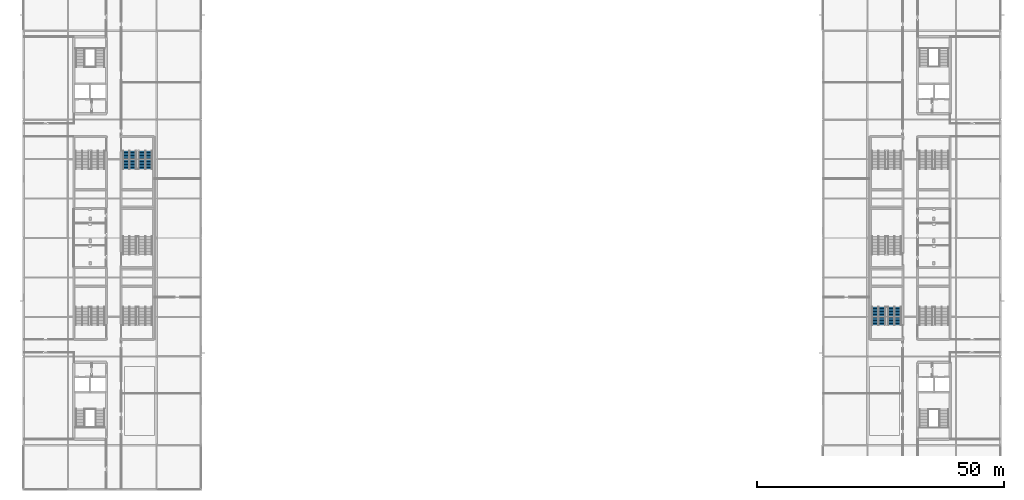
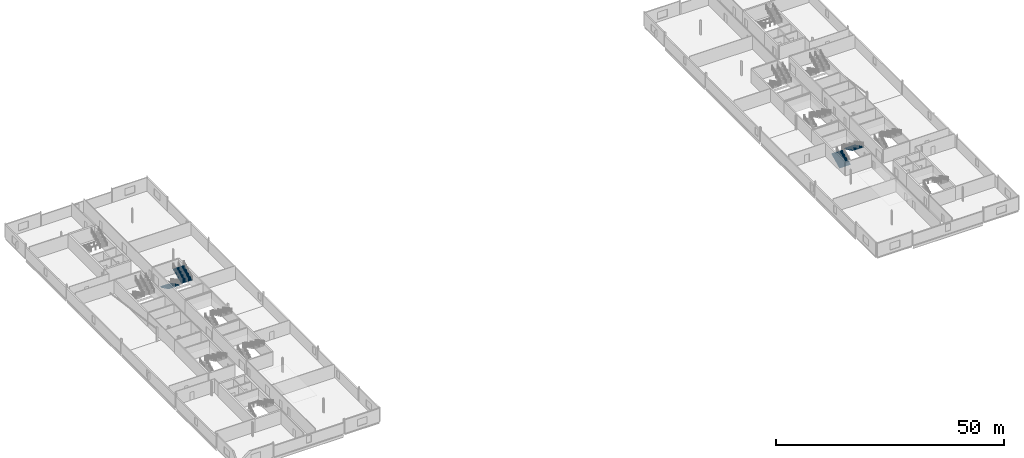
# One storey, part 24 of 31: 4 stair flights, 2 elements without a shape of their own.
"""IFC4 building model written with IfcOpenShell, lengths in metres."""

from ifc_helpers import new_model, si_unit, direction, frame, origin, place, context, subcontext, project, spatial, polygons, material, type_object, element, aggregate, save


model = new_model("IFC4")

# Units and contexts
model_context = context("Model", 3, precision=1e-05, world=origin(), true_north=direction((0.0, 1.0)))
body_context = subcontext(model_context, "Body", "Model", "MODEL_VIEW")
ifc_project = project(units=[si_unit("LENGTHUNIT", "METRE"), si_unit("AREAUNIT", "SQUARE_METRE"), si_unit("VOLUMEUNIT", "CUBIC_METRE"), si_unit("PLANEANGLEUNIT", "RADIAN"), si_unit("MASSUNIT", "GRAM", prefix="KILO")], contexts=[model_context])

# Site, building, storey
site_placement = place(None, origin())
site = spatial("IfcSite", under=ifc_project, at=site_placement, CompositionType="ELEMENT")
building_placement = place(site_placement, origin())
building = spatial("IfcBuilding", under=site, at=building_placement, Name="Kisiwana Market Hall", CompositionType="ELEMENT")
storey_placement = place(building_placement, frame((0.0, 0.0, 45.60009765625)))
storey = spatial("IfcBuildingStorey", under=building, at=storey_placement, Name="L10", CompositionType="ELEMENT", Elevation=45.60009765625)

# Stair, stair flights
ifc_material_1 = material(Name="Concrete C32/40", Category="concrete")
stair_type = type_object("IfcStairType", Name="ST-ESC-3900", PredefinedType="TWO_STRAIGHT_RUN_STAIR", material=ifc_material_1)
stair_1_placement = place(storey_placement, origin())
stair_1 = element("IfcStair", 1, at=stair_1_placement, inside=storey, type_object=stair_type, Name="Escape stair ST-E7-L10", PredefinedType="TWO_STRAIGHT_RUN_STAIR")
ifc_material_2 = material(Name="Concrete C32/40", Category="concrete")
stair_flight_type = type_object("IfcStairFlightType", Name="SF-ESC-3900", PredefinedType="STRAIGHT", material=ifc_material_2)
stair_flight_1_placement = place(storey_placement, frame((173.2900390625, 42.360107421875, 0.0), z_axis=(0.0, 0.0, 1.0), x_axis=(0.0, 1.0, 0.0)))
stair_flight_1 = element("IfcStairFlight", 2, at=stair_flight_1_placement, type_object=stair_flight_type, Name="ST-E7-L10 flight 1", NumberOfRisers=13, NumberOfTreads=12, PredefinedType="STRAIGHT", RiserHeight=0.15, TreadLength=0.305, context=body_context, shape_type="Tessellation", body=[
    polygons([(0.0, -1.380127, 0.0), (0.0, -0.690125, 0.0), (0.0, -0.000122, 0.0), (0.0, 0.68988, 0.0), (0.0, 1.379883, 0.0), (0.0, -1.380127, 0.149902), (0.0, -0.690125, 0.149902), (0.0, -0.000122, 0.149902), (0.0, 0.68988, 0.149902), (0.0, 1.379883, 0.149902), (0.304932, -1.380127, 0.149902), (0.304932, -0.690125, 0.149902), (0.304932, -0.000122, 0.149902), (0.304932, 0.68988, 0.149902), (0.304932, 1.379883, 0.149902), (0.304932, -1.380127, 0.300049), (0.304932, -0.690125, 0.300049), (0.304932, -0.000122, 0.300049), (0.304932, 0.68988, 0.300049), (0.304932, 1.379883, 0.300049), (0.610107, -1.380127, 0.300049), (0.610107, -0.690125, 0.300049), (0.610107, -0.000122, 0.300049), (0.610107, 0.68988, 0.300049), (0.610107, 1.379883, 0.300049), (0.610107, -1.380127, 0.449951), (0.610107, -0.690125, 0.449951), (0.610107, -0.000122, 0.449951), (0.610107, 0.68988, 0.449951), (0.610107, 1.379883, 0.449951), (0.915039, -1.380127, 0.449951), (0.915039, -0.690125, 0.449951), (0.915039, -0.000122, 0.449951), (0.915039, 0.68988, 0.449951), (0.915039, 1.379883, 0.449951), (0.915039, -1.380127, 0.600098), (0.915039, -0.690125, 0.600098), (0.915039, -0.000122, 0.600098), (0.915039, 0.68988, 0.600098), (0.915039, 1.379883, 0.600098), (1.219971, -1.380127, 0.600098), (1.219971, -0.690125, 0.600098), (1.219971, -0.000122, 0.600098), (1.219971, 0.68988, 0.600098), (1.219971, 1.379883, 0.600098), (1.219971, -1.380127, 0.75), (1.219971, -0.690125, 0.75), (1.219971, -0.000122, 0.75), (1.219971, 0.68988, 0.75), (1.219971, 1.379883, 0.75), (1.524902, -1.380127, 0.75), (1.524902, -0.690125, 0.75), (1.524902, -0.000122, 0.75), (1.524902, 0.68988, 0.75), (1.524902, 1.379883, 0.75), (1.524902, -1.380127, 0.899902), (1.524902, -0.690125, 0.899902), (1.524902, -0.000122, 0.899902), (1.524902, 0.68988, 0.899902), (1.524902, 1.379883, 0.899902), (1.830078, -1.380127, 0.899902), (1.830078, -0.690125, 0.899902), (1.830078, -0.000122, 0.899902), (1.830078, 0.68988, 0.899902), (1.830078, 1.379883, 0.899902), (1.830078, -1.380127, 1.050049), (1.830078, -0.690125, 1.050049), (1.830078, -0.000122, 1.050049), (1.830078, 0.68988, 1.050049), (1.830078, 1.379883, 1.050049), (2.13501, -1.380127, 1.050049), (2.13501, -0.690125, 1.050049), (2.13501, -0.000122, 1.050049), (2.13501, 0.68988, 1.050049), (2.13501, 1.379883, 1.050049), (2.13501, -1.380127, 1.199951), (2.13501, -0.690125, 1.199951), (2.13501, -0.000122, 1.199951), (2.13501, 0.68988, 1.199951), (2.13501, 1.379883, 1.199951), (2.439941, -1.380127, 1.199951), (2.439941, -0.690125, 1.199951), (2.439941, -0.000122, 1.199951), (2.439941, 0.68988, 1.199951), (2.439941, 1.379883, 1.199951), (2.439941, -1.380127, 1.350098), (2.439941, -0.690125, 1.350098), (2.439941, -0.000122, 1.350098), (2.439941, 0.68988, 1.350098), (2.439941, 1.379883, 1.350098), (2.745117, -1.380127, 1.350098), (2.745117, -0.690125, 1.350098), (2.745117, -0.000122, 1.350098), (2.745117, 0.68988, 1.350098), (2.745117, 1.379883, 1.350098), (2.745117, -1.380127, 1.5), (2.745117, -0.690125, 1.5), (2.745117, -0.000122, 1.5), (2.745117, 0.68988, 1.5), (2.745117, 1.379883, 1.5), (3.050049, -1.380127, 1.5), (3.050049, -0.690125, 1.5), (3.050049, -0.000122, 1.5), (3.050049, 0.68988, 1.5), (3.050049, 1.379883, 1.5), (3.050049, -1.380127, 1.649902), (3.050049, -0.690125, 1.649902), (3.050049, -0.000122, 1.649902), (3.050049, 0.68988, 1.649902), (3.050049, 1.379883, 1.649902), (3.35498, -1.380127, 1.649902), (3.35498, -0.690125, 1.649902), (3.35498, -0.000122, 1.649902), (3.35498, 0.68988, 1.649902), (3.35498, 1.379883, 1.649902), (3.35498, -1.380127, 1.800049), (3.35498, -0.690125, 1.800049), (3.35498, -0.000122, 1.800049), (3.35498, 0.68988, 1.800049), (3.35498, 1.379883, 1.800049), (3.659912, -1.380127, 1.800049), (3.659912, -0.690125, 1.800049), (3.659912, -0.000122, 1.800049), (3.659912, 0.68988, 1.800049), (3.659912, 1.379883, 1.800049), (3.659912, -1.380127, 1.599365), (3.659912, -0.690125, 1.599365), (3.659912, -0.000122, 1.599365), (3.659912, 0.68988, 1.599365), (3.659912, 1.379883, 1.599365), (0.407715, -1.380127, 0.0), (0.407715, -0.690125, 0.0), (0.407715, -0.000122, 0.0), (0.407715, 0.68988, 0.0), (0.407715, 1.379883, 0.0)], [[[1, 6, 7, 2]], [[2, 7, 8, 3]], [[3, 8, 9, 4]], [[4, 9, 10, 5]], [[6, 11, 12, 7]], [[7, 12, 13, 8]], [[8, 13, 14, 9]], [[9, 14, 15, 10]], [[11, 16, 17, 12]], [[12, 17, 18, 13]], [[13, 18, 19, 14]], [[14, 19, 20, 15]], [[16, 21, 22, 17]], [[17, 22, 23, 18]], [[18, 23, 24, 19]], [[19, 24, 25, 20]], [[21, 26, 27, 22]], [[22, 27, 28, 23]], [[23, 28, 29, 24]], [[24, 29, 30, 25]], [[26, 31, 32, 27]], [[27, 32, 33, 28]], [[28, 33, 34, 29]], [[29, 34, 35, 30]], [[31, 36, 37, 32]], [[32, 37, 38, 33]], [[33, 38, 39, 34]], [[34, 39, 40, 35]], [[36, 41, 42, 37]], [[37, 42, 43, 38]], [[38, 43, 44, 39]], [[39, 44, 45, 40]], [[41, 46, 47, 42]], [[42, 47, 48, 43]], [[43, 48, 49, 44]], [[44, 49, 50, 45]], [[46, 51, 52, 47]], [[47, 52, 53, 48]], [[48, 53, 54, 49]], [[49, 54, 55, 50]], [[51, 56, 57, 52]], [[52, 57, 58, 53]], [[53, 58, 59, 54]], [[54, 59, 60, 55]], [[56, 61, 62, 57]], [[57, 62, 63, 58]], [[58, 63, 64, 59]], [[59, 64, 65, 60]], [[61, 66, 67, 62]], [[62, 67, 68, 63]], [[63, 68, 69, 64]], [[64, 69, 70, 65]], [[66, 71, 72, 67]], [[67, 72, 73, 68]], [[68, 73, 74, 69]], [[69, 74, 75, 70]], [[71, 76, 77, 72]], [[72, 77, 78, 73]], [[73, 78, 79, 74]], [[74, 79, 80, 75]], [[76, 81, 82, 77]], [[77, 82, 83, 78]], [[78, 83, 84, 79]], [[79, 84, 85, 80]], [[81, 86, 87, 82]], [[82, 87, 88, 83]], [[83, 88, 89, 84]], [[84, 89, 90, 85]], [[86, 91, 92, 87]], [[87, 92, 93, 88]], [[88, 93, 94, 89]], [[89, 94, 95, 90]], [[91, 96, 97, 92]], [[92, 97, 98, 93]], [[93, 98, 99, 94]], [[94, 99, 100, 95]], [[96, 101, 102, 97]], [[97, 102, 103, 98]], [[98, 103, 104, 99]], [[99, 104, 105, 100]], [[101, 106, 107, 102]], [[102, 107, 108, 103]], [[103, 108, 109, 104]], [[104, 109, 110, 105]], [[106, 111, 112, 107]], [[107, 112, 113, 108]], [[108, 113, 114, 109]], [[109, 114, 115, 110]], [[111, 116, 117, 112]], [[112, 117, 118, 113]], [[113, 118, 119, 114]], [[114, 119, 120, 115]], [[116, 121, 122, 117]], [[117, 122, 123, 118]], [[118, 123, 124, 119]], [[119, 124, 125, 120]], [[121, 126, 127, 122]], [[122, 127, 128, 123]], [[123, 128, 129, 124]], [[124, 129, 130, 125]], [[126, 131, 132, 127]], [[127, 132, 133, 128]], [[128, 133, 134, 129]], [[129, 134, 135, 130]], [[131, 1, 2, 132]], [[132, 2, 3, 133]], [[133, 3, 4, 134]], [[134, 4, 5, 135]], [[131, 126, 121, 116, 111, 106, 101, 96, 91, 86, 81, 76, 71, 66, 61, 56, 51, 46, 41, 36, 31, 26, 21, 16, 11, 6, 1]], [[5, 10, 15, 20, 25, 30, 35, 40, 45, 50, 55, 60, 65, 70, 75, 80, 85, 90, 95, 100, 105, 110, 115, 120, 125, 130, 135]]], closed=True),
])
stair_flight_2_placement = place(storey_placement, frame((176.510009765625, 46.02001953125, 1.949951171875), z_axis=(0.0, 0.0, 1.0), x_axis=(0.0, -1.0, 0.0)))
stair_flight_2 = element("IfcStairFlight", 3, at=stair_flight_2_placement, type_object=stair_flight_type, Name="ST-E7-L10 flight 2", NumberOfRisers=13, NumberOfTreads=12, PredefinedType="STRAIGHT", RiserHeight=0.15, TreadLength=0.305, context=body_context, shape_type="Tessellation", body=[
    polygons([(0.0, -1.380127, 0.0), (0.0, -0.690125, 0.0), (0.0, -0.000122, 0.0), (0.0, 0.68988, 0.0), (0.0, 1.379883, 0.0), (0.0, -1.380127, 0.149902), (0.0, -0.690125, 0.149902), (0.0, -0.000122, 0.149902), (0.0, 0.68988, 0.149902), (0.0, 1.379883, 0.149902), (0.304932, -1.380127, 0.149902), (0.304932, -0.690125, 0.149902), (0.304932, -0.000122, 0.149902), (0.304932, 0.68988, 0.149902), (0.304932, 1.379883, 0.149902), (0.304932, -1.380127, 0.300049), (0.304932, -0.690125, 0.300049), (0.304932, -0.000122, 0.300049), (0.304932, 0.68988, 0.300049), (0.304932, 1.379883, 0.300049), (0.610107, -1.380127, 0.300049), (0.610107, -0.690125, 0.300049), (0.610107, -0.000122, 0.300049), (0.610107, 0.68988, 0.300049), (0.610107, 1.379883, 0.300049), (0.610107, -1.380127, 0.449951), (0.610107, -0.690125, 0.449951), (0.610107, -0.000122, 0.449951), (0.610107, 0.68988, 0.449951), (0.610107, 1.379883, 0.449951), (0.915039, -1.380127, 0.449951), (0.915039, -0.690125, 0.449951), (0.915039, -0.000122, 0.449951), (0.915039, 0.68988, 0.449951), (0.915039, 1.379883, 0.449951), (0.915039, -1.380127, 0.600098), (0.915039, -0.690125, 0.600098), (0.915039, -0.000122, 0.600098), (0.915039, 0.68988, 0.600098), (0.915039, 1.379883, 0.600098), (1.219971, -1.380127, 0.600098), (1.219971, -0.690125, 0.600098), (1.219971, -0.000122, 0.600098), (1.219971, 0.68988, 0.600098), (1.219971, 1.379883, 0.600098), (1.219971, -1.380127, 0.75), (1.219971, -0.690125, 0.75), (1.219971, -0.000122, 0.75), (1.219971, 0.68988, 0.75), (1.219971, 1.379883, 0.75), (1.524902, -1.380127, 0.75), (1.524902, -0.690125, 0.75), (1.524902, -0.000122, 0.75), (1.524902, 0.68988, 0.75), (1.524902, 1.379883, 0.75), (1.524902, -1.380127, 0.899902), (1.524902, -0.690125, 0.899902), (1.524902, -0.000122, 0.899902), (1.524902, 0.68988, 0.899902), (1.524902, 1.379883, 0.899902), (1.830078, -1.380127, 0.899902), (1.830078, -0.690125, 0.899902), (1.830078, -0.000122, 0.899902), (1.830078, 0.68988, 0.899902), (1.830078, 1.379883, 0.899902), (1.830078, -1.380127, 1.050049), (1.830078, -0.690125, 1.050049), (1.830078, -0.000122, 1.050049), (1.830078, 0.68988, 1.050049), (1.830078, 1.379883, 1.050049), (2.13501, -1.380127, 1.050049), (2.13501, -0.690125, 1.050049), (2.13501, -0.000122, 1.050049), (2.13501, 0.68988, 1.050049), (2.13501, 1.379883, 1.050049), (2.13501, -1.380127, 1.199951), (2.13501, -0.690125, 1.199951), (2.13501, -0.000122, 1.199951), (2.13501, 0.68988, 1.199951), (2.13501, 1.379883, 1.199951), (2.439941, -1.380127, 1.199951), (2.439941, -0.690125, 1.199951), (2.439941, -0.000122, 1.199951), (2.439941, 0.68988, 1.199951), (2.439941, 1.379883, 1.199951), (2.439941, -1.380127, 1.350098), (2.439941, -0.690125, 1.350098), (2.439941, -0.000122, 1.350098), (2.439941, 0.68988, 1.350098), (2.439941, 1.379883, 1.350098), (2.745117, -1.380127, 1.350098), (2.745117, -0.690125, 1.350098), (2.745117, -0.000122, 1.350098), (2.745117, 0.68988, 1.350098), (2.745117, 1.379883, 1.350098), (2.745117, -1.380127, 1.5), (2.745117, -0.690125, 1.5), (2.745117, -0.000122, 1.5), (2.745117, 0.68988, 1.5), (2.745117, 1.379883, 1.5), (3.050049, -1.380127, 1.5), (3.050049, -0.690125, 1.5), (3.050049, -0.000122, 1.5), (3.050049, 0.68988, 1.5), (3.050049, 1.379883, 1.5), (3.050049, -1.380127, 1.649902), (3.050049, -0.690125, 1.649902), (3.050049, -0.000122, 1.649902), (3.050049, 0.68988, 1.649902), (3.050049, 1.379883, 1.649902), (3.35498, -1.380127, 1.649902), (3.35498, -0.690125, 1.649902), (3.35498, -0.000122, 1.649902), (3.35498, 0.68988, 1.649902), (3.35498, 1.379883, 1.649902), (3.35498, -1.380127, 1.800049), (3.35498, -0.690125, 1.800049), (3.35498, -0.000122, 1.800049), (3.35498, 0.68988, 1.800049), (3.35498, 1.379883, 1.800049), (3.659912, -1.380127, 1.800049), (3.659912, -0.690125, 1.800049), (3.659912, -0.000122, 1.800049), (3.659912, 0.68988, 1.800049), (3.659912, 1.379883, 1.800049), (3.659912, -1.380127, 1.599365), (3.659912, -0.690125, 1.599365), (3.659912, -0.000122, 1.599365), (3.659912, 0.68988, 1.599365), (3.659912, 1.379883, 1.599365), (0.407715, -1.380127, 0.0), (0.407715, -0.690125, 0.0), (0.407715, -0.000122, 0.0), (0.407715, 0.68988, 0.0), (0.407715, 1.379883, 0.0)], [[[1, 6, 7, 2]], [[2, 7, 8, 3]], [[3, 8, 9, 4]], [[4, 9, 10, 5]], [[6, 11, 12, 7]], [[7, 12, 13, 8]], [[8, 13, 14, 9]], [[9, 14, 15, 10]], [[11, 16, 17, 12]], [[12, 17, 18, 13]], [[13, 18, 19, 14]], [[14, 19, 20, 15]], [[16, 21, 22, 17]], [[17, 22, 23, 18]], [[18, 23, 24, 19]], [[19, 24, 25, 20]], [[21, 26, 27, 22]], [[22, 27, 28, 23]], [[23, 28, 29, 24]], [[24, 29, 30, 25]], [[26, 31, 32, 27]], [[27, 32, 33, 28]], [[28, 33, 34, 29]], [[29, 34, 35, 30]], [[31, 36, 37, 32]], [[32, 37, 38, 33]], [[33, 38, 39, 34]], [[34, 39, 40, 35]], [[36, 41, 42, 37]], [[37, 42, 43, 38]], [[38, 43, 44, 39]], [[39, 44, 45, 40]], [[41, 46, 47, 42]], [[42, 47, 48, 43]], [[43, 48, 49, 44]], [[44, 49, 50, 45]], [[46, 51, 52, 47]], [[47, 52, 53, 48]], [[48, 53, 54, 49]], [[49, 54, 55, 50]], [[51, 56, 57, 52]], [[52, 57, 58, 53]], [[53, 58, 59, 54]], [[54, 59, 60, 55]], [[56, 61, 62, 57]], [[57, 62, 63, 58]], [[58, 63, 64, 59]], [[59, 64, 65, 60]], [[61, 66, 67, 62]], [[62, 67, 68, 63]], [[63, 68, 69, 64]], [[64, 69, 70, 65]], [[66, 71, 72, 67]], [[67, 72, 73, 68]], [[68, 73, 74, 69]], [[69, 74, 75, 70]], [[71, 76, 77, 72]], [[72, 77, 78, 73]], [[73, 78, 79, 74]], [[74, 79, 80, 75]], [[76, 81, 82, 77]], [[77, 82, 83, 78]], [[78, 83, 84, 79]], [[79, 84, 85, 80]], [[81, 86, 87, 82]], [[82, 87, 88, 83]], [[83, 88, 89, 84]], [[84, 89, 90, 85]], [[86, 91, 92, 87]], [[87, 92, 93, 88]], [[88, 93, 94, 89]], [[89, 94, 95, 90]], [[91, 96, 97, 92]], [[92, 97, 98, 93]], [[93, 98, 99, 94]], [[94, 99, 100, 95]], [[96, 101, 102, 97]], [[97, 102, 103, 98]], [[98, 103, 104, 99]], [[99, 104, 105, 100]], [[101, 106, 107, 102]], [[102, 107, 108, 103]], [[103, 108, 109, 104]], [[104, 109, 110, 105]], [[106, 111, 112, 107]], [[107, 112, 113, 108]], [[108, 113, 114, 109]], [[109, 114, 115, 110]], [[111, 116, 117, 112]], [[112, 117, 118, 113]], [[113, 118, 119, 114]], [[114, 119, 120, 115]], [[116, 121, 122, 117]], [[117, 122, 123, 118]], [[118, 123, 124, 119]], [[119, 124, 125, 120]], [[121, 126, 127, 122]], [[122, 127, 128, 123]], [[123, 128, 129, 124]], [[124, 129, 130, 125]], [[126, 131, 132, 127]], [[127, 132, 133, 128]], [[128, 133, 134, 129]], [[129, 134, 135, 130]], [[131, 1, 2, 132]], [[132, 2, 3, 133]], [[133, 3, 4, 134]], [[134, 4, 5, 135]], [[131, 126, 121, 116, 111, 106, 101, 96, 91, 86, 81, 76, 71, 66, 61, 56, 51, 46, 41, 36, 31, 26, 21, 16, 11, 6, 1]], [[5, 10, 15, 20, 25, 30, 35, 40, 45, 50, 55, 60, 65, 70, 75, 80, 85, 90, 95, 100, 105, 110, 115, 120, 125, 130, 135]]], closed=True),
])
aggregate(stair_1, [stair_flight_1, stair_flight_2])

stair_2_placement = place(storey_placement, origin())
stair_2 = element("IfcStair", 4, at=stair_2_placement, inside=storey, type_object=stair_type, Name="Escape stair ST-W8-L10", PredefinedType="TWO_STRAIGHT_RUN_STAIR")
stair_flight_3_placement = place(storey_placement, frame((21.489990234375, 77.639892578125, 0.0), z_axis=(0.0, 0.0, 1.0), x_axis=(0.0, -1.0, 0.0)))
stair_flight_3 = element("IfcStairFlight", 5, at=stair_flight_3_placement, type_object=stair_flight_type, Name="ST-W8-L10 flight 1", NumberOfRisers=13, NumberOfTreads=12, PredefinedType="STRAIGHT", RiserHeight=0.15, TreadLength=0.305, context=body_context, shape_type="Tessellation", body=[
    polygons([(0.0, -1.380127, 0.0), (0.0, -0.690125, 0.0), (0.0, -0.000122, 0.0), (0.0, 0.68988, 0.0), (0.0, 1.379883, 0.0), (0.0, -1.380127, 0.149902), (0.0, -0.690125, 0.149902), (0.0, -0.000122, 0.149902), (0.0, 0.68988, 0.149902), (0.0, 1.379883, 0.149902), (0.304932, -1.380127, 0.149902), (0.304932, -0.690125, 0.149902), (0.304932, -0.000122, 0.149902), (0.304932, 0.68988, 0.149902), (0.304932, 1.379883, 0.149902), (0.304932, -1.380127, 0.300049), (0.304932, -0.690125, 0.300049), (0.304932, -0.000122, 0.300049), (0.304932, 0.68988, 0.300049), (0.304932, 1.379883, 0.300049), (0.610107, -1.380127, 0.300049), (0.610107, -0.690125, 0.300049), (0.610107, -0.000122, 0.300049), (0.610107, 0.68988, 0.300049), (0.610107, 1.379883, 0.300049), (0.610107, -1.380127, 0.449951), (0.610107, -0.690125, 0.449951), (0.610107, -0.000122, 0.449951), (0.610107, 0.68988, 0.449951), (0.610107, 1.379883, 0.449951), (0.915039, -1.380127, 0.449951), (0.915039, -0.690125, 0.449951), (0.915039, -0.000122, 0.449951), (0.915039, 0.68988, 0.449951), (0.915039, 1.379883, 0.449951), (0.915039, -1.380127, 0.600098), (0.915039, -0.690125, 0.600098), (0.915039, -0.000122, 0.600098), (0.915039, 0.68988, 0.600098), (0.915039, 1.379883, 0.600098), (1.219971, -1.380127, 0.600098), (1.219971, -0.690125, 0.600098), (1.219971, -0.000122, 0.600098), (1.219971, 0.68988, 0.600098), (1.219971, 1.379883, 0.600098), (1.219971, -1.380127, 0.75), (1.219971, -0.690125, 0.75), (1.219971, -0.000122, 0.75), (1.219971, 0.68988, 0.75), (1.219971, 1.379883, 0.75), (1.524902, -1.380127, 0.75), (1.524902, -0.690125, 0.75), (1.524902, -0.000122, 0.75), (1.524902, 0.68988, 0.75), (1.524902, 1.379883, 0.75), (1.524902, -1.380127, 0.899902), (1.524902, -0.690125, 0.899902), (1.524902, -0.000122, 0.899902), (1.524902, 0.68988, 0.899902), (1.524902, 1.379883, 0.899902), (1.830078, -1.380127, 0.899902), (1.830078, -0.690125, 0.899902), (1.830078, -0.000122, 0.899902), (1.830078, 0.68988, 0.899902), (1.830078, 1.379883, 0.899902), (1.830078, -1.380127, 1.050049), (1.830078, -0.690125, 1.050049), (1.830078, -0.000122, 1.050049), (1.830078, 0.68988, 1.050049), (1.830078, 1.379883, 1.050049), (2.13501, -1.380127, 1.050049), (2.13501, -0.690125, 1.050049), (2.13501, -0.000122, 1.050049), (2.13501, 0.68988, 1.050049), (2.13501, 1.379883, 1.050049), (2.13501, -1.380127, 1.199951), (2.13501, -0.690125, 1.199951), (2.13501, -0.000122, 1.199951), (2.13501, 0.68988, 1.199951), (2.13501, 1.379883, 1.199951), (2.439941, -1.380127, 1.199951), (2.439941, -0.690125, 1.199951), (2.439941, -0.000122, 1.199951), (2.439941, 0.68988, 1.199951), (2.439941, 1.379883, 1.199951), (2.439941, -1.380127, 1.350098), (2.439941, -0.690125, 1.350098), (2.439941, -0.000122, 1.350098), (2.439941, 0.68988, 1.350098), (2.439941, 1.379883, 1.350098), (2.745117, -1.380127, 1.350098), (2.745117, -0.690125, 1.350098), (2.745117, -0.000122, 1.350098), (2.745117, 0.68988, 1.350098), (2.745117, 1.379883, 1.350098), (2.745117, -1.380127, 1.5), (2.745117, -0.690125, 1.5), (2.745117, -0.000122, 1.5), (2.745117, 0.68988, 1.5), (2.745117, 1.379883, 1.5), (3.050049, -1.380127, 1.5), (3.050049, -0.690125, 1.5), (3.050049, -0.000122, 1.5), (3.050049, 0.68988, 1.5), (3.050049, 1.379883, 1.5), (3.050049, -1.380127, 1.649902), (3.050049, -0.690125, 1.649902), (3.050049, -0.000122, 1.649902), (3.050049, 0.68988, 1.649902), (3.050049, 1.379883, 1.649902), (3.35498, -1.380127, 1.649902), (3.35498, -0.690125, 1.649902), (3.35498, -0.000122, 1.649902), (3.35498, 0.68988, 1.649902), (3.35498, 1.379883, 1.649902), (3.35498, -1.380127, 1.800049), (3.35498, -0.690125, 1.800049), (3.35498, -0.000122, 1.800049), (3.35498, 0.68988, 1.800049), (3.35498, 1.379883, 1.800049), (3.659912, -1.380127, 1.800049), (3.659912, -0.690125, 1.800049), (3.659912, -0.000122, 1.800049), (3.659912, 0.68988, 1.800049), (3.659912, 1.379883, 1.800049), (3.659912, -1.380127, 1.599365), (3.659912, -0.690125, 1.599365), (3.659912, -0.000122, 1.599365), (3.659912, 0.68988, 1.599365), (3.659912, 1.379883, 1.599365), (0.407715, -1.380127, 0.0), (0.407715, -0.690125, 0.0), (0.407715, -0.000122, 0.0), (0.407715, 0.68988, 0.0), (0.407715, 1.379883, 0.0)], [[[1, 6, 7, 2]], [[2, 7, 8, 3]], [[3, 8, 9, 4]], [[4, 9, 10, 5]], [[6, 11, 12, 7]], [[7, 12, 13, 8]], [[8, 13, 14, 9]], [[9, 14, 15, 10]], [[11, 16, 17, 12]], [[12, 17, 18, 13]], [[13, 18, 19, 14]], [[14, 19, 20, 15]], [[16, 21, 22, 17]], [[17, 22, 23, 18]], [[18, 23, 24, 19]], [[19, 24, 25, 20]], [[21, 26, 27, 22]], [[22, 27, 28, 23]], [[23, 28, 29, 24]], [[24, 29, 30, 25]], [[26, 31, 32, 27]], [[27, 32, 33, 28]], [[28, 33, 34, 29]], [[29, 34, 35, 30]], [[31, 36, 37, 32]], [[32, 37, 38, 33]], [[33, 38, 39, 34]], [[34, 39, 40, 35]], [[36, 41, 42, 37]], [[37, 42, 43, 38]], [[38, 43, 44, 39]], [[39, 44, 45, 40]], [[41, 46, 47, 42]], [[42, 47, 48, 43]], [[43, 48, 49, 44]], [[44, 49, 50, 45]], [[46, 51, 52, 47]], [[47, 52, 53, 48]], [[48, 53, 54, 49]], [[49, 54, 55, 50]], [[51, 56, 57, 52]], [[52, 57, 58, 53]], [[53, 58, 59, 54]], [[54, 59, 60, 55]], [[56, 61, 62, 57]], [[57, 62, 63, 58]], [[58, 63, 64, 59]], [[59, 64, 65, 60]], [[61, 66, 67, 62]], [[62, 67, 68, 63]], [[63, 68, 69, 64]], [[64, 69, 70, 65]], [[66, 71, 72, 67]], [[67, 72, 73, 68]], [[68, 73, 74, 69]], [[69, 74, 75, 70]], [[71, 76, 77, 72]], [[72, 77, 78, 73]], [[73, 78, 79, 74]], [[74, 79, 80, 75]], [[76, 81, 82, 77]], [[77, 82, 83, 78]], [[78, 83, 84, 79]], [[79, 84, 85, 80]], [[81, 86, 87, 82]], [[82, 87, 88, 83]], [[83, 88, 89, 84]], [[84, 89, 90, 85]], [[86, 91, 92, 87]], [[87, 92, 93, 88]], [[88, 93, 94, 89]], [[89, 94, 95, 90]], [[91, 96, 97, 92]], [[92, 97, 98, 93]], [[93, 98, 99, 94]], [[94, 99, 100, 95]], [[96, 101, 102, 97]], [[97, 102, 103, 98]], [[98, 103, 104, 99]], [[99, 104, 105, 100]], [[101, 106, 107, 102]], [[102, 107, 108, 103]], [[103, 108, 109, 104]], [[104, 109, 110, 105]], [[106, 111, 112, 107]], [[107, 112, 113, 108]], [[108, 113, 114, 109]], [[109, 114, 115, 110]], [[111, 116, 117, 112]], [[112, 117, 118, 113]], [[113, 118, 119, 114]], [[114, 119, 120, 115]], [[116, 121, 122, 117]], [[117, 122, 123, 118]], [[118, 123, 124, 119]], [[119, 124, 125, 120]], [[121, 126, 127, 122]], [[122, 127, 128, 123]], [[123, 128, 129, 124]], [[124, 129, 130, 125]], [[126, 131, 132, 127]], [[127, 132, 133, 128]], [[128, 133, 134, 129]], [[129, 134, 135, 130]], [[131, 1, 2, 132]], [[132, 2, 3, 133]], [[133, 3, 4, 134]], [[134, 4, 5, 135]], [[131, 126, 121, 116, 111, 106, 101, 96, 91, 86, 81, 76, 71, 66, 61, 56, 51, 46, 41, 36, 31, 26, 21, 16, 11, 6, 1]], [[5, 10, 15, 20, 25, 30, 35, 40, 45, 50, 55, 60, 65, 70, 75, 80, 85, 90, 95, 100, 105, 110, 115, 120, 125, 130, 135]]], closed=True),
])
stair_flight_4_placement = place(storey_placement, frame((24.7099609375, 73.97998046875, 1.949951171875), z_axis=(0.0, 0.0, 1.0), x_axis=(0.0, 1.0, 0.0)))
stair_flight_4 = element("IfcStairFlight", 6, at=stair_flight_4_placement, type_object=stair_flight_type, Name="ST-W8-L10 flight 2", NumberOfRisers=13, NumberOfTreads=12, PredefinedType="STRAIGHT", RiserHeight=0.15, TreadLength=0.305, context=body_context, shape_type="Tessellation", body=[
    polygons([(0.0, -1.380127, 0.0), (0.0, -0.690125, 0.0), (0.0, -0.000122, 0.0), (0.0, 0.68988, 0.0), (0.0, 1.379883, 0.0), (0.0, -1.380127, 0.149902), (0.0, -0.690125, 0.149902), (0.0, -0.000122, 0.149902), (0.0, 0.68988, 0.149902), (0.0, 1.379883, 0.149902), (0.304932, -1.380127, 0.149902), (0.304932, -0.690125, 0.149902), (0.304932, -0.000122, 0.149902), (0.304932, 0.68988, 0.149902), (0.304932, 1.379883, 0.149902), (0.304932, -1.380127, 0.300049), (0.304932, -0.690125, 0.300049), (0.304932, -0.000122, 0.300049), (0.304932, 0.68988, 0.300049), (0.304932, 1.379883, 0.300049), (0.610107, -1.380127, 0.300049), (0.610107, -0.690125, 0.300049), (0.610107, -0.000122, 0.300049), (0.610107, 0.68988, 0.300049), (0.610107, 1.379883, 0.300049), (0.610107, -1.380127, 0.449951), (0.610107, -0.690125, 0.449951), (0.610107, -0.000122, 0.449951), (0.610107, 0.68988, 0.449951), (0.610107, 1.379883, 0.449951), (0.915039, -1.380127, 0.449951), (0.915039, -0.690125, 0.449951), (0.915039, -0.000122, 0.449951), (0.915039, 0.68988, 0.449951), (0.915039, 1.379883, 0.449951), (0.915039, -1.380127, 0.600098), (0.915039, -0.690125, 0.600098), (0.915039, -0.000122, 0.600098), (0.915039, 0.68988, 0.600098), (0.915039, 1.379883, 0.600098), (1.219971, -1.380127, 0.600098), (1.219971, -0.690125, 0.600098), (1.219971, -0.000122, 0.600098), (1.219971, 0.68988, 0.600098), (1.219971, 1.379883, 0.600098), (1.219971, -1.380127, 0.75), (1.219971, -0.690125, 0.75), (1.219971, -0.000122, 0.75), (1.219971, 0.68988, 0.75), (1.219971, 1.379883, 0.75), (1.524902, -1.380127, 0.75), (1.524902, -0.690125, 0.75), (1.524902, -0.000122, 0.75), (1.524902, 0.68988, 0.75), (1.524902, 1.379883, 0.75), (1.524902, -1.380127, 0.899902), (1.524902, -0.690125, 0.899902), (1.524902, -0.000122, 0.899902), (1.524902, 0.68988, 0.899902), (1.524902, 1.379883, 0.899902), (1.830078, -1.380127, 0.899902), (1.830078, -0.690125, 0.899902), (1.830078, -0.000122, 0.899902), (1.830078, 0.68988, 0.899902), (1.830078, 1.379883, 0.899902), (1.830078, -1.380127, 1.050049), (1.830078, -0.690125, 1.050049), (1.830078, -0.000122, 1.050049), (1.830078, 0.68988, 1.050049), (1.830078, 1.379883, 1.050049), (2.13501, -1.380127, 1.050049), (2.13501, -0.690125, 1.050049), (2.13501, -0.000122, 1.050049), (2.13501, 0.68988, 1.050049), (2.13501, 1.379883, 1.050049), (2.13501, -1.380127, 1.199951), (2.13501, -0.690125, 1.199951), (2.13501, -0.000122, 1.199951), (2.13501, 0.68988, 1.199951), (2.13501, 1.379883, 1.199951), (2.439941, -1.380127, 1.199951), (2.439941, -0.690125, 1.199951), (2.439941, -0.000122, 1.199951), (2.439941, 0.68988, 1.199951), (2.439941, 1.379883, 1.199951), (2.439941, -1.380127, 1.350098), (2.439941, -0.690125, 1.350098), (2.439941, -0.000122, 1.350098), (2.439941, 0.68988, 1.350098), (2.439941, 1.379883, 1.350098), (2.745117, -1.380127, 1.350098), (2.745117, -0.690125, 1.350098), (2.745117, -0.000122, 1.350098), (2.745117, 0.68988, 1.350098), (2.745117, 1.379883, 1.350098), (2.745117, -1.380127, 1.5), (2.745117, -0.690125, 1.5), (2.745117, -0.000122, 1.5), (2.745117, 0.68988, 1.5), (2.745117, 1.379883, 1.5), (3.050049, -1.380127, 1.5), (3.050049, -0.690125, 1.5), (3.050049, -0.000122, 1.5), (3.050049, 0.68988, 1.5), (3.050049, 1.379883, 1.5), (3.050049, -1.380127, 1.649902), (3.050049, -0.690125, 1.649902), (3.050049, -0.000122, 1.649902), (3.050049, 0.68988, 1.649902), (3.050049, 1.379883, 1.649902), (3.35498, -1.380127, 1.649902), (3.35498, -0.690125, 1.649902), (3.35498, -0.000122, 1.649902), (3.35498, 0.68988, 1.649902), (3.35498, 1.379883, 1.649902), (3.35498, -1.380127, 1.800049), (3.35498, -0.690125, 1.800049), (3.35498, -0.000122, 1.800049), (3.35498, 0.68988, 1.800049), (3.35498, 1.379883, 1.800049), (3.659912, -1.380127, 1.800049), (3.659912, -0.690125, 1.800049), (3.659912, -0.000122, 1.800049), (3.659912, 0.68988, 1.800049), (3.659912, 1.379883, 1.800049), (3.659912, -1.380127, 1.599365), (3.659912, -0.690125, 1.599365), (3.659912, -0.000122, 1.599365), (3.659912, 0.68988, 1.599365), (3.659912, 1.379883, 1.599365), (0.407715, -1.380127, 0.0), (0.407715, -0.690125, 0.0), (0.407715, -0.000122, 0.0), (0.407715, 0.68988, 0.0), (0.407715, 1.379883, 0.0)], [[[1, 6, 7, 2]], [[2, 7, 8, 3]], [[3, 8, 9, 4]], [[4, 9, 10, 5]], [[6, 11, 12, 7]], [[7, 12, 13, 8]], [[8, 13, 14, 9]], [[9, 14, 15, 10]], [[11, 16, 17, 12]], [[12, 17, 18, 13]], [[13, 18, 19, 14]], [[14, 19, 20, 15]], [[16, 21, 22, 17]], [[17, 22, 23, 18]], [[18, 23, 24, 19]], [[19, 24, 25, 20]], [[21, 26, 27, 22]], [[22, 27, 28, 23]], [[23, 28, 29, 24]], [[24, 29, 30, 25]], [[26, 31, 32, 27]], [[27, 32, 33, 28]], [[28, 33, 34, 29]], [[29, 34, 35, 30]], [[31, 36, 37, 32]], [[32, 37, 38, 33]], [[33, 38, 39, 34]], [[34, 39, 40, 35]], [[36, 41, 42, 37]], [[37, 42, 43, 38]], [[38, 43, 44, 39]], [[39, 44, 45, 40]], [[41, 46, 47, 42]], [[42, 47, 48, 43]], [[43, 48, 49, 44]], [[44, 49, 50, 45]], [[46, 51, 52, 47]], [[47, 52, 53, 48]], [[48, 53, 54, 49]], [[49, 54, 55, 50]], [[51, 56, 57, 52]], [[52, 57, 58, 53]], [[53, 58, 59, 54]], [[54, 59, 60, 55]], [[56, 61, 62, 57]], [[57, 62, 63, 58]], [[58, 63, 64, 59]], [[59, 64, 65, 60]], [[61, 66, 67, 62]], [[62, 67, 68, 63]], [[63, 68, 69, 64]], [[64, 69, 70, 65]], [[66, 71, 72, 67]], [[67, 72, 73, 68]], [[68, 73, 74, 69]], [[69, 74, 75, 70]], [[71, 76, 77, 72]], [[72, 77, 78, 73]], [[73, 78, 79, 74]], [[74, 79, 80, 75]], [[76, 81, 82, 77]], [[77, 82, 83, 78]], [[78, 83, 84, 79]], [[79, 84, 85, 80]], [[81, 86, 87, 82]], [[82, 87, 88, 83]], [[83, 88, 89, 84]], [[84, 89, 90, 85]], [[86, 91, 92, 87]], [[87, 92, 93, 88]], [[88, 93, 94, 89]], [[89, 94, 95, 90]], [[91, 96, 97, 92]], [[92, 97, 98, 93]], [[93, 98, 99, 94]], [[94, 99, 100, 95]], [[96, 101, 102, 97]], [[97, 102, 103, 98]], [[98, 103, 104, 99]], [[99, 104, 105, 100]], [[101, 106, 107, 102]], [[102, 107, 108, 103]], [[103, 108, 109, 104]], [[104, 109, 110, 105]], [[106, 111, 112, 107]], [[107, 112, 113, 108]], [[108, 113, 114, 109]], [[109, 114, 115, 110]], [[111, 116, 117, 112]], [[112, 117, 118, 113]], [[113, 118, 119, 114]], [[114, 119, 120, 115]], [[116, 121, 122, 117]], [[117, 122, 123, 118]], [[118, 123, 124, 119]], [[119, 124, 125, 120]], [[121, 126, 127, 122]], [[122, 127, 128, 123]], [[123, 128, 129, 124]], [[124, 129, 130, 125]], [[126, 131, 132, 127]], [[127, 132, 133, 128]], [[128, 133, 134, 129]], [[129, 134, 135, 130]], [[131, 1, 2, 132]], [[132, 2, 3, 133]], [[133, 3, 4, 134]], [[134, 4, 5, 135]], [[131, 126, 121, 116, 111, 106, 101, 96, 91, 86, 81, 76, 71, 66, 61, 56, 51, 46, 41, 36, 31, 26, 21, 16, 11, 6, 1]], [[5, 10, 15, 20, 25, 30, 35, 40, 45, 50, 55, 60, 65, 70, 75, 80, 85, 90, 95, 100, 105, 110, 115, 120, 125, 130, 135]]], closed=True),
])
aggregate(stair_2, [stair_flight_3, stair_flight_4])

save(model, "model.ifc")
